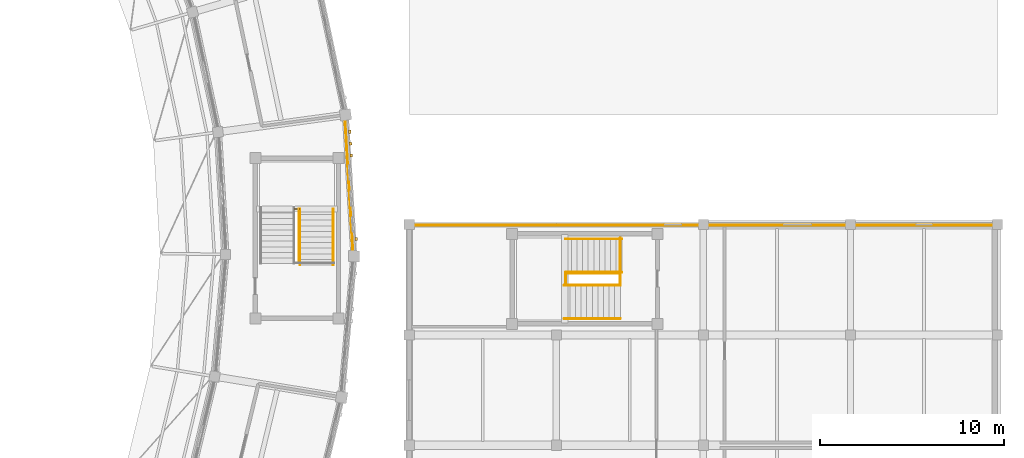
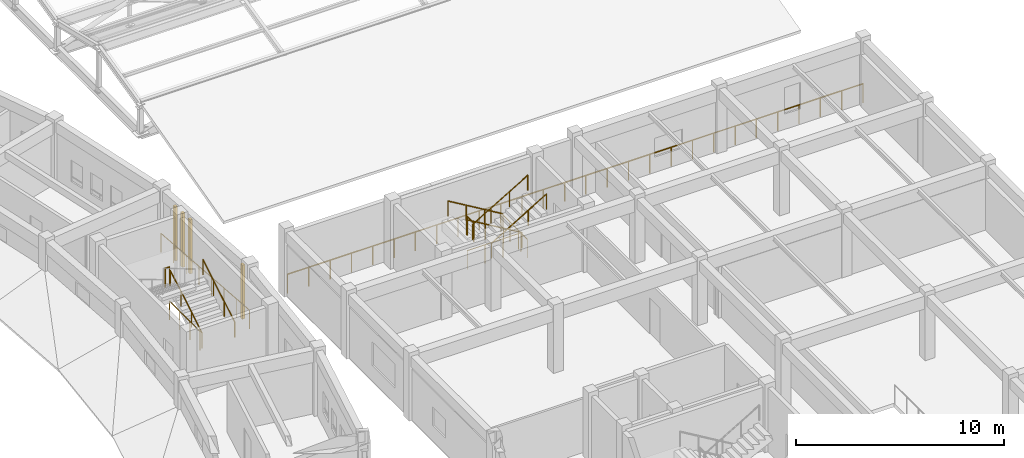
# One storey, part 110 of 112: 13 railings, 4 coverings.
"""IFC4 building model written with IfcOpenShell, lengths in metres."""

from ifc_helpers import new_model, si_unit, direction, frame, origin, origin_2d, place, context, subcontext, project, spatial, rectangle, circle, extrude, material, layer, layer_set, type_object, element, save


model = new_model("IFC4")

# Units and contexts
model_context = context("Model", 3, precision=1e-05, world=origin(), true_north=direction((0.0, 1.0)))
body_context = subcontext(model_context, "Body", "Model", "MODEL_VIEW")
ifc_project = project(units=[si_unit("LENGTHUNIT", "METRE"), si_unit("AREAUNIT", "SQUARE_METRE"), si_unit("VOLUMEUNIT", "CUBIC_METRE"), si_unit("PLANEANGLEUNIT", "RADIAN"), si_unit("MASSUNIT", "GRAM", prefix="KILO")], contexts=[model_context])

# Site, building, storey
site_placement = place(None, origin())
site = spatial("IfcSite", under=ifc_project, at=site_placement, CompositionType="ELEMENT")
building_placement = place(site_placement, origin())
building = spatial("IfcBuilding", under=site, at=building_placement, Name="Celadon Cloister-Ring School", CompositionType="ELEMENT")
storey_placement = place(building_placement, frame((0.0, 0.0, 8.5)))
storey = spatial("IfcBuildingStorey", under=building, at=storey_placement, Name="L02", CompositionType="ELEMENT", Elevation=8.5)

# Coverings
ifc_material_1 = material(Name="Perforated terracotta clay brick masonry", Category="masonry")
ifc_layer = layer(ifc_material_1, 0.139892578125)
ifc_layer_set = layer_set([ifc_layer], Name="Perforated terracotta clay brick masonry")
covering_type = type_object("IfcCoveringType", Name="CV-SC1", PredefinedType="CLADDING", material=ifc_layer_set)
for number, where, z_axis, x_axis, name in (
    (1, (138.763916015625, 65.055908203125, 0.0), (0.0, 0.0, 1.0), (0.060142636109, -0.998189793237, 0.0), "Brick Screen Rib 0303"),
    (2, (138.802978515625, 64.407958984375, 0.0), (0.0, 0.0, 1.0), (0.060142636109, -0.998189793237, 0.0), "Brick Screen Rib 0304"),
    (3, (138.842041015625, 63.759033203125, 0.0), (0.0, 0.0, 1.0), (0.060142636109, -0.998189793237, 0.0), "Brick Screen Rib 0305"),
    (4, (139.115966796875, 59.217041015625, 0.0), (0.0, 0.0, 1.0), (0.060142636109, -0.998189793237, 0.0), "Brick Screen Rib 0306"),
):
    element("IfcCovering", number, at=place(storey_placement, frame(where, z_axis=z_axis, x_axis=x_axis)), inside=storey, type_object=covering_type, Name=name, PredefinedType="CLADDING", context=body_context, shape_type="SweptSolid", body=[
        extrude(rectangle(XDim=0.179931640625, YDim=0.139892578125, at=origin_2d()), origin(), (0.0, 0.0, 1.0), 3.172119140625),
    ])

# Railings
ifc_material_2 = material(Name="Structural steel S355JR", Category="steel")
railing_type_1 = type_object("IfcRailingType", Name="RL-BL1", PredefinedType="BALUSTRADE", material=ifc_material_2)
railing_1_placement = place(storey_placement, frame((138.955078125, 58.281982421875, 0.0)))
element("IfcRailing", 5, at=railing_1_placement, inside=storey, type_object=railing_type_1, Name="Terrace Balustrade 0101", PredefinedType="BALUSTRADE", context=body_context, shape_type="SweptSolid", body=[
    extrude(circle(Radius=0.02392578125, at=origin_2d()), frame((0.0, 0.0, 1.09619140625), z_axis=(-0.060289190769, 0.998180952271, 0.0), x_axis=(-0.998180952271, -0.060289190769, 0.0)), (0.0, 0.0, 1.0), 7.697998046875),
    extrude(circle(Radius=0.02099609375, at=origin_2d()), origin(), (0.0, 0.0, 1.0), 1.072021484375),
    extrude(circle(Radius=0.02099609375, at=origin_2d()), frame((-0.06640625, 1.09765625, 0.0)), (0.0, 0.0, 1.0), 1.072021484375),
    extrude(circle(Radius=0.02099609375, at=origin_2d()), frame((-0.132568359375, 2.195556640625, 0.0)), (0.0, 0.0, 1.0), 1.072021484375),
    extrude(circle(Radius=0.02099609375, at=origin_2d()), frame((-0.198974609375, 3.293212890625, 0.0)), (0.0, 0.0, 1.0), 1.072021484375),
    extrude(circle(Radius=0.02099609375, at=origin_2d()), frame((-0.26513671875, 4.390869140625, 0.0)), (0.0, 0.0, 1.0), 1.072021484375),
    extrude(circle(Radius=0.02099609375, at=origin_2d()), frame((-0.33154296875, 5.488525390625, 0.0)), (0.0, 0.0, 1.0), 1.072021484375),
    extrude(circle(Radius=0.02099609375, at=origin_2d()), frame((-0.397705078125, 6.58642578125, 0.0)), (0.0, 0.0, 1.0), 1.072021484375),
    extrude(circle(Radius=0.02099609375, at=origin_2d()), frame((-0.464111328125, 7.68408203125, 0.0)), (0.0, 0.0, 1.0), 1.072021484375),
])
railing_2_placement = place(storey_placement, frame((142.0400390625, 59.9599609375, 0.0)))
element("IfcRailing", 6, at=railing_2_placement, inside=storey, type_object=railing_type_1, Name="Terrace Balustrade 0432", PredefinedType="BALUSTRADE", context=body_context, shape_type="SweptSolid", body=[
    extrude(circle(Radius=0.02392578125, at=origin_2d()), frame((0.0, 0.0, 1.09619140625), z_axis=(1.0, 0.0, 0.0), x_axis=(0.0, 1.0, 0.0)), (0.0, 0.0, 1.0), 31.919921875),
    extrude(circle(Radius=0.02099609375, at=origin_2d()), origin(), (0.0, 0.0, 1.0), 1.072021484375),
    extrude(circle(Radius=0.02099609375, at=origin_2d()), frame((1.18212890625, 0.0, 0.0)), (0.0, 0.0, 1.0), 1.072021484375),
    extrude(circle(Radius=0.02099609375, at=origin_2d()), frame((2.364501953125, 0.0, 0.0)), (0.0, 0.0, 1.0), 1.072021484375),
    extrude(circle(Radius=0.02099609375, at=origin_2d()), frame((3.546630859375, 0.0, 0.0)), (0.0, 0.0, 1.0), 1.072021484375),
    extrude(circle(Radius=0.02099609375, at=origin_2d()), frame((4.728759765625, 0.0, 0.0)), (0.0, 0.0, 1.0), 1.072021484375),
    extrude(circle(Radius=0.02099609375, at=origin_2d()), frame((5.9111328125, 0.0, 0.0)), (0.0, 0.0, 1.0), 1.072021484375),
    extrude(circle(Radius=0.02099609375, at=origin_2d()), frame((7.09326171875, 0.0, 0.0)), (0.0, 0.0, 1.0), 1.072021484375),
    extrude(circle(Radius=0.02099609375, at=origin_2d()), frame((8.275634765625, 0.0, 0.0)), (0.0, 0.0, 1.0), 1.072021484375),
    extrude(circle(Radius=0.02099609375, at=origin_2d()), frame((9.457763671875, 0.0, 0.0)), (0.0, 0.0, 1.0), 1.072021484375),
    extrude(circle(Radius=0.02099609375, at=origin_2d()), frame((10.639892578125, 0.0, 0.0)), (0.0, 0.0, 1.0), 1.072021484375),
    extrude(circle(Radius=0.02099609375, at=origin_2d()), frame((11.822265625, 0.0, 0.0)), (0.0, 0.0, 1.0), 1.072021484375),
    extrude(circle(Radius=0.02099609375, at=origin_2d()), frame((13.00439453125, 0.0, 0.0)), (0.0, 0.0, 1.0), 1.072021484375),
    extrude(circle(Radius=0.02099609375, at=origin_2d()), frame((14.1865234375, 0.0, 0.0)), (0.0, 0.0, 1.0), 1.072021484375),
    extrude(circle(Radius=0.02099609375, at=origin_2d()), frame((15.368896484375, 0.0, 0.0)), (0.0, 0.0, 1.0), 1.072021484375),
    extrude(circle(Radius=0.02099609375, at=origin_2d()), frame((16.551025390625, 0.0, 0.0)), (0.0, 0.0, 1.0), 1.072021484375),
    extrude(circle(Radius=0.02099609375, at=origin_2d()), frame((17.7333984375, 0.0, 0.0)), (0.0, 0.0, 1.0), 1.072021484375),
    extrude(circle(Radius=0.02099609375, at=origin_2d()), frame((18.91552734375, 0.0, 0.0)), (0.0, 0.0, 1.0), 1.072021484375),
    extrude(circle(Radius=0.02099609375, at=origin_2d()), frame((20.09765625, 0.0, 0.0)), (0.0, 0.0, 1.0), 1.072021484375),
    extrude(circle(Radius=0.02099609375, at=origin_2d()), frame((21.280029296875, 0.0, 0.0)), (0.0, 0.0, 1.0), 1.072021484375),
    extrude(circle(Radius=0.02099609375, at=origin_2d()), frame((22.462158203125, 0.0, 0.0)), (0.0, 0.0, 1.0), 1.072021484375),
    extrude(circle(Radius=0.02099609375, at=origin_2d()), frame((23.644287109375, 0.0, 0.0)), (0.0, 0.0, 1.0), 1.072021484375),
    extrude(circle(Radius=0.02099609375, at=origin_2d()), frame((24.82666015625, 0.0, 0.0)), (0.0, 0.0, 1.0), 1.072021484375),
    extrude(circle(Radius=0.02099609375, at=origin_2d()), frame((26.0087890625, 0.0, 0.0)), (0.0, 0.0, 1.0), 1.072021484375),
    extrude(circle(Radius=0.02099609375, at=origin_2d()), frame((27.191162109375, 0.0, 0.0)), (0.0, 0.0, 1.0), 1.072021484375),
    extrude(circle(Radius=0.02099609375, at=origin_2d()), frame((28.373291015625, 0.0, 0.0)), (0.0, 0.0, 1.0), 1.072021484375),
    extrude(circle(Radius=0.02099609375, at=origin_2d()), frame((29.555419921875, 0.0, 0.0)), (0.0, 0.0, 1.0), 1.072021484375),
    extrude(circle(Radius=0.02099609375, at=origin_2d()), frame((30.73779296875, 0.0, 0.0)), (0.0, 0.0, 1.0), 1.072021484375),
    extrude(circle(Radius=0.02099609375, at=origin_2d()), frame((31.919921875, 0.0, 0.0)), (0.0, 0.0, 1.0), 1.072021484375),
])
ifc_material_3 = material(Name="Structural steel S355JR", Category="steel")
railing_type_2 = type_object("IfcRailingType", Name="RL-BL2", PredefinedType="BALUSTRADE", material=ifc_material_3)
railing_3_placement = place(storey_placement, frame((150.510009765625, 56.739990234375, 2.0)))
element("IfcRailing", 7, at=railing_3_placement, inside=storey, type_object=railing_type_2, Name="Interior Guard 0206", PredefinedType="BALUSTRADE", context=body_context, shape_type="SweptSolid", body=[
    extrude(circle(Radius=0.02392578125, at=origin_2d()), frame((0.0, 0.0, 1.09619140625), z_axis=(0.0, 1.0, 0.0), x_axis=(-1.0, 0.0, 0.0)), (0.0, 0.0, 1.0), 0.6201171875),
    extrude(circle(Radius=0.02099609375, at=origin_2d()), origin(), (0.0, 0.0, 1.0), 1.072021484375),
    extrude(circle(Radius=0.02099609375, at=origin_2d()), frame((0.0, 0.6201171875, 0.0)), (0.0, 0.0, 1.0), 1.072021484375),
])
railing_4_placement = place(storey_placement, frame((153.47998046875, 56.739990234375, 0.0)))
element("IfcRailing", 8, at=railing_4_placement, inside=storey, type_object=railing_type_2, Name="Interior Guard 0207", PredefinedType="BALUSTRADE", context=body_context, shape_type="SweptSolid", body=[
    extrude(circle(Radius=0.02392578125, at=origin_2d()), frame((0.0, 0.0, 1.09619140625), z_axis=(0.0, 1.0, 0.0), x_axis=(-1.0, 0.0, 0.0)), (0.0, 0.0, 1.0), 2.52001953125),
    extrude(circle(Radius=0.02099609375, at=origin_2d()), origin(), (0.0, 0.0, 1.0), 1.072021484375),
    extrude(circle(Radius=0.02099609375, at=origin_2d()), frame((0.0, 0.840087890625, 0.0)), (0.0, 0.0, 1.0), 1.072021484375),
    extrude(circle(Radius=0.02099609375, at=origin_2d()), frame((0.0, 1.679931640625, 0.0)), (0.0, 0.0, 1.0), 1.072021484375),
    extrude(circle(Radius=0.02099609375, at=origin_2d()), frame((0.0, 2.52001953125, 0.0)), (0.0, 0.0, 1.0), 1.072021484375),
])
railing_5_placement = place(storey_placement, frame((153.47998046875, 57.360107421875, 0.0)))
element("IfcRailing", 9, at=railing_5_placement, inside=storey, type_object=railing_type_2, Name="Interior Guard 0208", PredefinedType="BALUSTRADE", context=body_context, shape_type="SweptSolid", body=[
    extrude(circle(Radius=0.02392578125, at=origin_2d()), frame((0.0, 0.0, 1.09619140625), z_axis=(-1.0, 0.0, 0.0), x_axis=(0.0, -1.0, 0.0)), (0.0, 0.0, 1.0), 2.969970703125),
    extrude(circle(Radius=0.02099609375, at=origin_2d()), origin(), (0.0, 0.0, 1.0), 1.072021484375),
    extrude(circle(Radius=0.02099609375, at=origin_2d()), frame((-0.989990234375, 0.0, 0.0)), (0.0, 0.0, 1.0), 1.072021484375),
    extrude(circle(Radius=0.02099609375, at=origin_2d()), frame((-1.97998046875, 0.0, 0.0)), (0.0, 0.0, 1.0), 1.072021484375),
    extrude(circle(Radius=0.02099609375, at=origin_2d()), frame((-2.969970703125, 0.0, 0.0)), (0.0, 0.0, 1.0), 1.072021484375),
])
railing_6_placement = place(storey_placement, frame((135.77001953125, 60.85009765625, 2.0)))
element("IfcRailing", 10, at=railing_6_placement, inside=storey, type_object=railing_type_2, Name="Interior Guard 0269", PredefinedType="BALUSTRADE", context=body_context, shape_type="SweptSolid", body=[
    extrude(circle(Radius=0.02392578125, at=origin_2d()), frame((0.0, 0.0, 1.09619140625), z_axis=(1.0, 0.0, 0.0), x_axis=(0.0, 1.0, 0.0)), (0.0, 0.0, 1.0), 0.239990234375),
    extrude(circle(Radius=0.02099609375, at=origin_2d()), origin(), (0.0, 0.0, 1.0), 1.072021484375),
    extrude(circle(Radius=0.02099609375, at=origin_2d()), frame((0.239990234375, 0.0, 0.0)), (0.0, 0.0, 1.0), 1.072021484375),
])
railing_7_placement = place(storey_placement, frame((136.010009765625, 57.9150390625, 0.0)))
element("IfcRailing", 11, at=railing_7_placement, inside=storey, type_object=railing_type_2, Name="Interior Guard 0271", PredefinedType="BALUSTRADE", context=body_context, shape_type="SweptSolid", body=[
    extrude(circle(Radius=0.02392578125, at=origin_2d()), frame((0.0, 0.0, 1.09619140625), z_axis=(0.0, 1.0, 0.0), x_axis=(-1.0, 0.0, 0.0)), (0.0, 0.0, 1.0), 2.93505859375),
    extrude(circle(Radius=0.02099609375, at=origin_2d()), origin(), (0.0, 0.0, 1.0), 1.072021484375),
    extrude(circle(Radius=0.02099609375, at=origin_2d()), frame((0.0, 0.978271484375, 0.0)), (0.0, 0.0, 1.0), 1.072021484375),
    extrude(circle(Radius=0.02099609375, at=origin_2d()), frame((0.0, 1.956787109375, 0.0)), (0.0, 0.0, 1.0), 1.072021484375),
    extrude(circle(Radius=0.02099609375, at=origin_2d()), frame((0.0, 2.93505859375, 0.0)), (0.0, 0.0, 1.0), 1.072021484375),
])
ifc_material_4 = material(Name="Structural steel S355JR", Category="steel")
railing_type_3 = type_object("IfcRailingType", Name="RL-HR1", PredefinedType="HANDRAIL", material=ifc_material_4)
for number, where, name in (
    (12, (153.56005859375, 59.215087890625, 0.181884765625), "Stair Handrail 0202"),
    (13, (153.56005859375, 57.405029296875, 0.181884765625), "Stair Handrail 0203"),
):
    element("IfcRailing", number, at=place(storey_placement, frame(where)), inside=storey, type_object=railing_type_3, Name=name, PredefinedType="HANDRAIL", context=body_context, shape_type="SweptSolid", body=[
        extrude(circle(Radius=0.02099609375, at=origin_2d()), frame((0.0, 0.0, 0.87890625), z_axis=(-0.858969654429, 0.0, 0.51202649616), x_axis=(0.0, -1.0, 0.0)), (0.0, 0.0, 1.0), 3.55078125),
        extrude(circle(Radius=0.01806640625, at=origin_2d()), origin(), (0.0, 0.0, 1.0), 0.85791015625),
        extrude(circle(Radius=0.01806640625, at=origin_2d()), frame((-1.0166015625, 0.0, 0.60595703125)), (0.0, 0.0, 1.0), 0.85791015625),
        extrude(circle(Radius=0.01806640625, at=origin_2d()), frame((-2.033447265625, 0.0, 1.212158203125)), (0.0, 0.0, 1.0), 0.85791015625),
        extrude(circle(Radius=0.01806640625, at=origin_2d()), frame((-3.050048828125, 0.0, 1.818115234375)), (0.0, 0.0, 1.0), 0.85791015625),
    ])
for number, where, name in (
    (14, (150.429931640625, 54.885009765625, 2.181884765625), "Stair Handrail 0204"),
    (15, (150.429931640625, 56.695068359375, 2.181884765625), "Stair Handrail 0205"),
):
    element("IfcRailing", number, at=place(storey_placement, frame(where)), inside=storey, type_object=railing_type_3, Name=name, PredefinedType="HANDRAIL", context=body_context, shape_type="SweptSolid", body=[
        extrude(circle(Radius=0.02099609375, at=origin_2d()), frame((0.0, 0.0, 0.87890625), z_axis=(0.858969654429, 0.0, 0.51202649616), x_axis=(0.0, 1.0, 0.0)), (0.0, 0.0, 1.0), 3.55078125),
        extrude(circle(Radius=0.01806640625, at=origin_2d()), origin(), (0.0, 0.0, 1.0), 0.85791015625),
        extrude(circle(Radius=0.01806640625, at=origin_2d()), frame((1.0166015625, 0.0, 0.60595703125)), (0.0, 0.0, 1.0), 0.85791015625),
        extrude(circle(Radius=0.01806640625, at=origin_2d()), frame((2.033447265625, 0.0, 1.212158203125)), (0.0, 0.0, 1.0), 0.85791015625),
        extrude(circle(Radius=0.01806640625, at=origin_2d()), frame((3.050048828125, 0.0, 1.818115234375)), (0.0, 0.0, 1.0), 0.85791015625),
    ])
for number, where, name in (
    (16, (137.864990234375, 57.800048828125, 0.181884765625), "Stair Handrail 0265"),
    (17, (136.054931640625, 57.800048828125, 0.181884765625), "Stair Handrail 0266"),
):
    element("IfcRailing", number, at=place(storey_placement, frame(where)), inside=storey, type_object=railing_type_3, Name=name, PredefinedType="HANDRAIL", context=body_context, shape_type="SweptSolid", body=[
        extrude(circle(Radius=0.02099609375, at=origin_2d()), frame((0.0, 0.0, 0.87890625), z_axis=(0.0, 0.858969654429, 0.51202649616), x_axis=(-1.0, 0.0, 0.0)), (0.0, 0.0, 1.0), 3.55078125),
        extrude(circle(Radius=0.01806640625, at=origin_2d()), origin(), (0.0, 0.0, 1.0), 0.85791015625),
        extrude(circle(Radius=0.01806640625, at=origin_2d()), frame((0.0, 1.0166015625, 0.60595703125)), (0.0, 0.0, 1.0), 0.85791015625),
        extrude(circle(Radius=0.01806640625, at=origin_2d()), frame((0.0, 2.033447265625, 1.212158203125)), (0.0, 0.0, 1.0), 0.85791015625),
        extrude(circle(Radius=0.01806640625, at=origin_2d()), frame((0.0, 3.050048828125, 1.818115234375)), (0.0, 0.0, 1.0), 0.85791015625),
    ])

save(model, "model.ifc")
